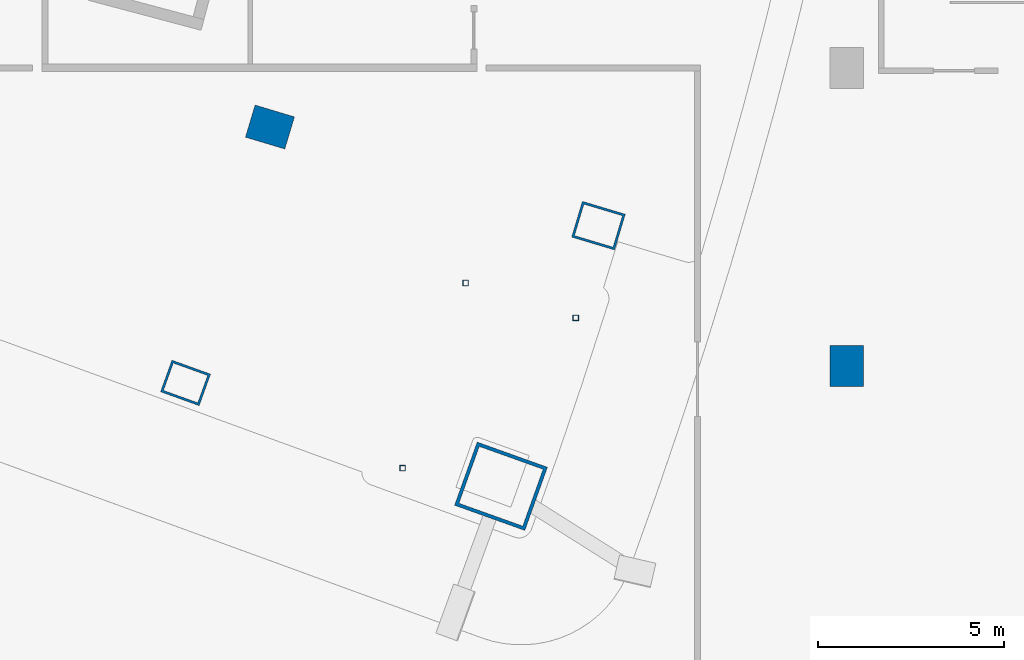
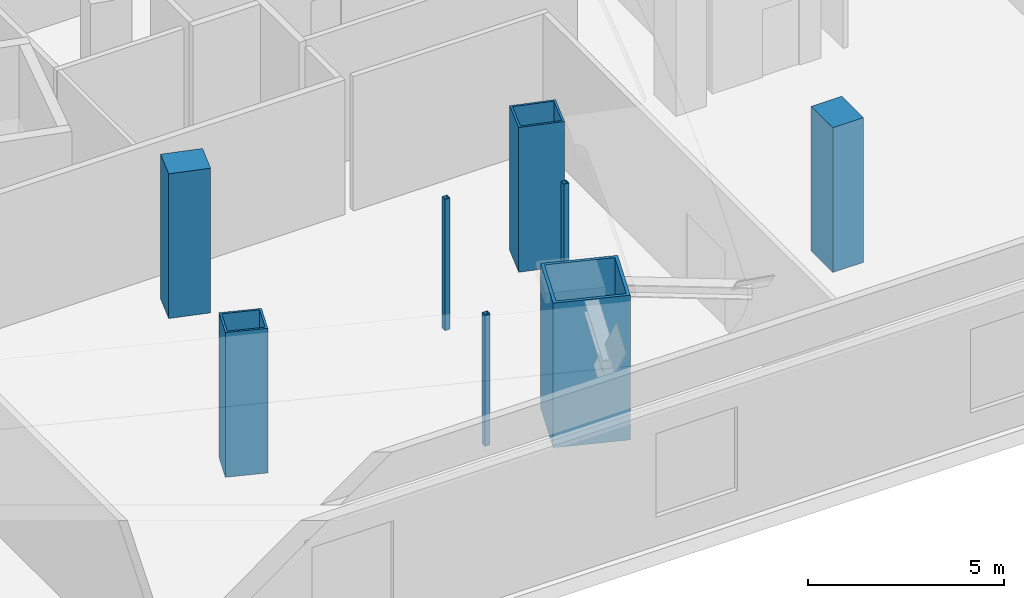
# One storey, part 4 of 19: 8 columns.
"""IFC4 building model written with IfcOpenShell, lengths in metres."""

from ifc_helpers import new_model, si_unit, direction, frame, origin, origin_2d, place, context, subcontext, project, spatial, rectangle, hollow_rectangle, extrude, material, material_profile, profile_set, type_object, element, save


model = new_model("IFC4")

# Units and contexts
model_context = context("Model", 3, precision=1e-05, world=origin(), true_north=direction((0.0, 1.0)))
body_context = subcontext(model_context, "Body", "Model", "MODEL_VIEW")
ifc_project = project(units=[si_unit("LENGTHUNIT", "METRE"), si_unit("AREAUNIT", "SQUARE_METRE"), si_unit("VOLUMEUNIT", "CUBIC_METRE"), si_unit("PLANEANGLEUNIT", "RADIAN"), si_unit("MASSUNIT", "GRAM", prefix="KILO")], contexts=[model_context])

# Site, building, storey
site_placement = place(None, origin())
site = spatial("IfcSite", under=ifc_project, at=site_placement, CompositionType="ELEMENT")
building_placement = place(site_placement, origin())
building = spatial("IfcBuilding", under=site, at=building_placement, Name="Alderwake Tower", CompositionType="ELEMENT")
storey_placement = place(building_placement, frame((0.0, 0.0, 27.5)))
storey = spatial("IfcBuildingStorey", under=building, at=storey_placement, Name="L05", CompositionType="ELEMENT", Elevation=27.5)

# Columns
ifc_material_1 = material(Name="Steel ASTM A572 Grade 50 concrete filled C70/85", Category="concrete")
ifc_material_profile_1 = material_profile(ifc_material_1, hollow_rectangle(XDim=0.89990234375, YDim=1.10009765625, WallThickness=0.06005859375, at=origin_2d()), Name="BOX 1100X900X60")
ifc_profile_set_1 = profile_set([ifc_material_profile_1], Name="Steel ASTM A572 Grade 50 concrete filled C70/85")
column_type_1 = type_object("IfcColumnType", Name="End column Z1", PredefinedType="COLUMN", material=ifc_profile_set_1)
column_1_placement = place(storey_placement, frame((46.268310546875, 15.547119140625, 0.0), z_axis=(0.0, 0.0, 1.0), x_axis=(0.338695224082, 0.940896139425, 0.0)))
element("IfcColumn", 1, at=column_1_placement, inside=storey, type_object=column_type_1, Name="Column R01-C4", PredefinedType="COLUMN", context=body_context, shape_type="SweptSolid", body=[
    extrude(hollow_rectangle(XDim=0.89990234375, YDim=1.10009765625, WallThickness=0.06005859375, at=origin_2d()), origin(), (0.0, 0.0, 1.0), 4.5),
])
ifc_material_2 = material(Name="Concrete C70/85", Category="concrete")
ifc_material_profile_2 = material_profile(ifc_material_2, rectangle(XDim=0.89990234375, YDim=1.10009765625, at=origin_2d()), Name="RC 1100X900")
ifc_profile_set_2 = profile_set([ifc_material_profile_2], Name="Concrete C70/85")
column_type_2 = type_object("IfcColumnType", Name="Interior column Z1", PredefinedType="COLUMN", material=ifc_profile_set_2)
column_2_placement = place(storey_placement, frame((48.5322265625, 22.410888671875, 0.0), z_axis=(0.0, 0.0, 1.0), x_axis=(0.287549418125, 0.957765802342, 0.0)))
element("IfcColumn", 2, at=column_2_placement, inside=storey, type_object=column_type_2, Name="Column R02-C4", PredefinedType="COLUMN", context=body_context, shape_type="SweptSolid", body=[
    extrude(rectangle(XDim=0.89990234375, YDim=1.10009765625, at=origin_2d()), origin(), (0.0, 0.0, 1.0), 4.5),
])
ifc_material_3 = material(Name="Steel ASTM A500 Grade C", Category="steel")
ifc_material_profile_3 = material_profile(ifc_material_3, hollow_rectangle(XDim=0.15234375, YDim=0.15234375, WallThickness=0.0087890625, at=origin_2d()), Name="HSS6X6X3/8")
ifc_profile_set_3 = profile_set([ifc_material_profile_3], Name="Steel ASTM A500 Grade C")
column_type_3 = type_object("IfcColumnType", Name="Light post HSS6X6X3/8", PredefinedType="COLUMN", material=ifc_profile_set_3)
for number, where, z_axis, x_axis, name in (
    (3, (56.734375, 17.29296875, 0.0), (0.0, 0.0, 1.0), (1.0, 0.0, 0.0), "Terrace post FS1"),
    (4, (52.08837890625, 13.262939453125, 0.0), (0.0, 0.0, 1.0), (1.0, 0.0, 0.0), "Terrace post FS2"),
    (5, (53.778564453125, 18.2275390625, 0.0), (0.0, 0.0, 1.0), (1.0, 0.0, 0.0), "Terrace post FS3"),
):
    element("IfcColumn", number, at=place(storey_placement, frame(where, z_axis=z_axis, x_axis=x_axis)), inside=storey, type_object=column_type_3, Name=name, PredefinedType="COLUMN", context=body_context, shape_type="SweptSolid", body=[
        extrude(hollow_rectangle(XDim=0.15234375, YDim=0.15234375, WallThickness=0.0087890625, at=origin_2d()), origin(), (0.0, 0.0, 1.0), 4.080078125),
    ])
ifc_material_4 = material(Name="Steel ASTM A572 Grade 50 concrete filled C70/85", Category="concrete")
ifc_material_profile_4 = material_profile(ifc_material_4, hollow_rectangle(XDim=1.800048828125, YDim=2.0, WallThickness=0.090087890625, at=origin_2d()), Name="BOX 2000X1800X90")
ifc_profile_set_4 = profile_set([ifc_material_profile_4], Name="Steel ASTM A572 Grade 50 concrete filled C70/85")
column_type_4 = type_object("IfcColumnType", Name="Mega column Z1", PredefinedType="COLUMN", material=ifc_profile_set_4)
column_3_placement = place(storey_placement, frame((54.7294921875, 12.77587890625, 0.0), z_axis=(0.0, 0.0, 1.0), x_axis=(0.336995022772, 0.941506428351, 0.0)))
element("IfcColumn", 6, at=column_3_placement, inside=storey, type_object=column_type_4, Name="Column R01-C5", PredefinedType="COLUMN", context=body_context, shape_type="SweptSolid", body=[
    extrude(hollow_rectangle(XDim=1.800048828125, YDim=2.0, WallThickness=0.090087890625, at=origin_2d()), origin(), (0.0, 0.0, 1.0), 4.5),
])
ifc_material_5 = material(Name="Steel ASTM A572 Grade 50 concrete filled C70/85", Category="concrete")
ifc_material_profile_5 = material_profile(ifc_material_5, hollow_rectangle(XDim=1.0, YDim=1.199951171875, WallThickness=0.06005859375, at=origin_2d()), Name="BOX 1200X1000X60")
ifc_profile_set_5 = profile_set([ifc_material_profile_5], Name="Steel ASTM A572 Grade 50 concrete filled C70/85")
column_type_5 = type_object("IfcColumnType", Name="Perimeter column Z1", PredefinedType="COLUMN", material=ifc_profile_set_5)
column_4_placement = place(storey_placement, frame((57.343505859375, 19.765380859375, 0.0), z_axis=(0.0, 0.0, 1.0), x_axis=(0.287549418125, 0.957765802342, 0.0)))
element("IfcColumn", 7, at=column_4_placement, inside=storey, type_object=column_type_5, Name="Column R02-C5", PredefinedType="COLUMN", context=body_context, shape_type="SweptSolid", body=[
    extrude(hollow_rectangle(XDim=1.0, YDim=1.199951171875, WallThickness=0.06005859375, at=origin_2d()), origin(), (0.0, 0.0, 1.0), 4.5),
])
ifc_material_6 = material(Name="Concrete C70/85", Category="concrete")
ifc_material_profile_6 = material_profile(ifc_material_6, rectangle(XDim=0.89990234375, YDim=1.10009765625, at=origin_2d()), Name="RC 1100X900")
ifc_profile_set_6 = profile_set([ifc_material_profile_6], Name="Concrete C70/85")
column_type_6 = type_object("IfcColumnType", Name="Podium column", PredefinedType="COLUMN", material=ifc_profile_set_6)
column_5_placement = place(storey_placement, frame((64.0, 16.0, 0.0), z_axis=(0.0, 0.0, 1.0), x_axis=(1.0, 0.0, 0.0)))
element("IfcColumn", 8, at=column_5_placement, inside=storey, type_object=column_type_6, Name="Column X09-YC", PredefinedType="COLUMN", context=body_context, shape_type="SweptSolid", body=[
    extrude(rectangle(XDim=0.89990234375, YDim=1.10009765625, at=origin_2d()), origin(), (0.0, 0.0, 1.0), 4.5),
])

save(model, "model.ifc")
